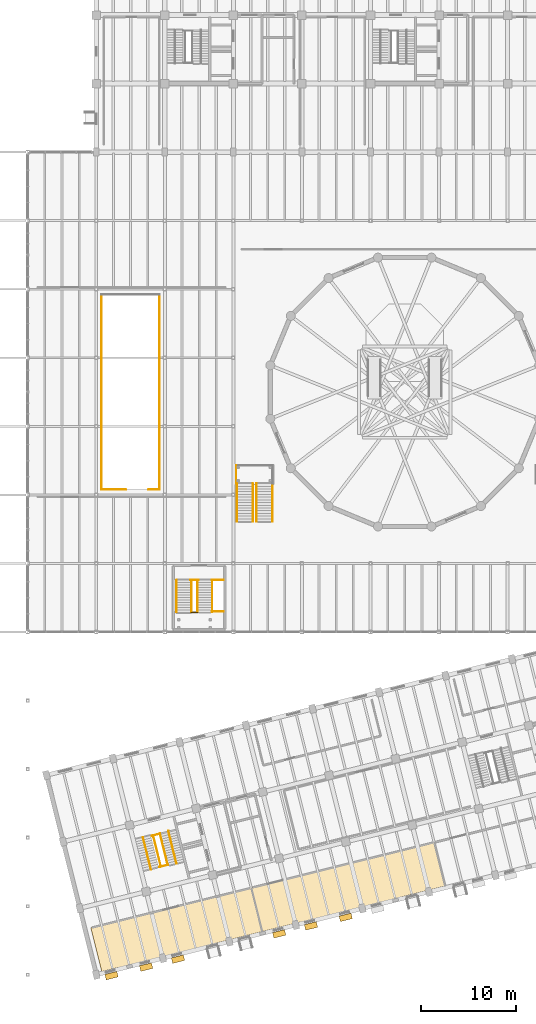
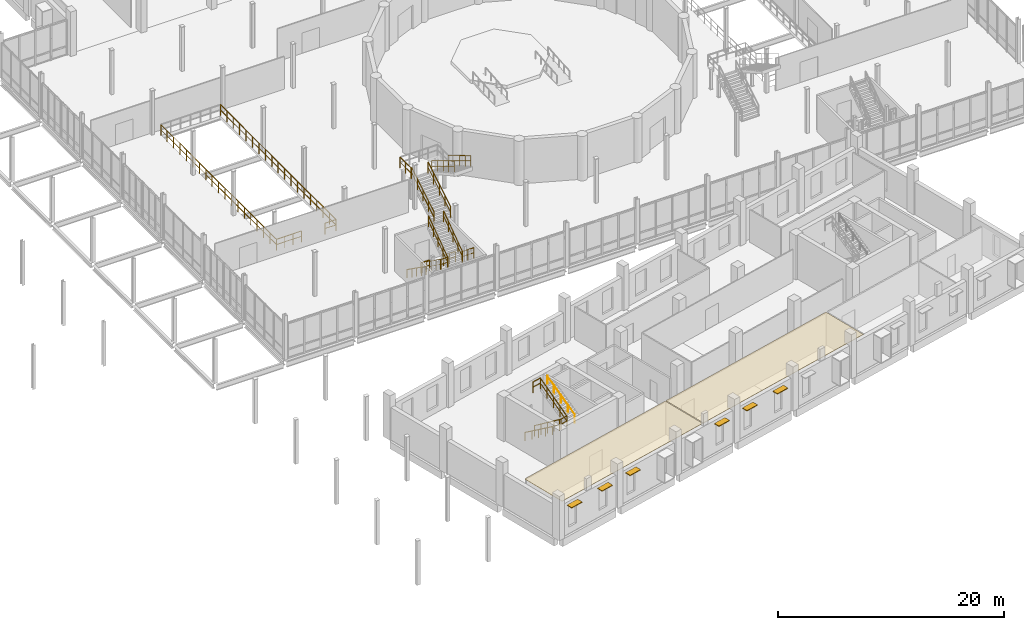
# One storey, part 74 of 77: 23 railings, 6 shading devices, 2 coverings.
"""IFC4 building model written with IfcOpenShell, lengths in metres."""

from ifc_helpers import new_model, si_unit, direction, frame, origin, origin_2d, place, context, subcontext, project, spatial, polyline, rectangle, circle, outline, extrude, material, layer, layer_set, material_profile, profile_set, type_object, element, save


model = new_model("IFC4")

# Units and contexts
model_context = context("Model", 3, precision=1e-05, world=origin(), true_north=direction((0.0, 1.0)))
body_context = subcontext(model_context, "Body", "Model", "MODEL_VIEW")
ifc_project = project(units=[si_unit("LENGTHUNIT", "METRE"), si_unit("AREAUNIT", "SQUARE_METRE"), si_unit("VOLUMEUNIT", "CUBIC_METRE"), si_unit("PLANEANGLEUNIT", "RADIAN"), si_unit("MASSUNIT", "GRAM", prefix="KILO")], contexts=[model_context])

# Site, building, storey
site_placement = place(None, origin())
site = spatial("IfcSite", under=ifc_project, at=site_placement, CompositionType="ELEMENT")
building_placement = place(site_placement, origin())
building = spatial("IfcBuilding", under=site, at=building_placement, Name="Qiaolan Assembly House", CompositionType="ELEMENT")
storey_placement = place(building_placement, frame((0.0, 0.0, 5.39990234375)))
storey = spatial("IfcBuildingStorey", under=building, at=storey_placement, Name="L01", CompositionType="ELEMENT", Elevation=5.39990234375)

# Coverings
ifc_material_1 = material(Name="Gypsum plasterboard acoustic ceiling")
ifc_layer = layer(ifc_material_1, 0.044921875)
ifc_layer_set = layer_set([ifc_layer], Name="Gypsum plasterboard acoustic ceiling")
covering_type = type_object("IfcCoveringType", Name="COV-CEIL-ACOUSTIC", PredefinedType="CEILING", material=ifc_layer_set)
covering_1_placement = place(storey_placement, frame((0.0, 0.0, 3.47509765625)))
element("IfcCovering", 1, at=covering_1_placement, inside=storey, type_object=covering_type, Name="Suspended ceiling Business Enterprise One-Stop Service Hall", PredefinedType="CEILING", context=body_context, shape_type="SweptSolid", body=[
    extrude(outline(polyline([(36.577392578125, 0.32958984375), (53.383056640625, 4.51953125), (52.2265625, 9.157470703125), (35.421142578125, 4.967529296875), (36.577392578125, 0.32958984375)])), origin(), (0.0, 0.0, 1.0), 0.044921875),
])
covering_2_placement = place(storey_placement, frame((0.0, 0.0, 3.47509765625)))
element("IfcCovering", 2, at=covering_2_placement, inside=storey, type_object=covering_type, Name="Suspended ceiling Planning & Building Permit Counter Hall", PredefinedType="CEILING", context=body_context, shape_type="SweptSolid", body=[
    extrude(outline(polyline([(53.460693359375, 4.538818359375), (72.5947265625, 9.3095703125), (71.4384765625, 13.94775390625), (52.30419921875, 9.177001953125), (53.460693359375, 4.538818359375)])), origin(), (0.0, 0.0, 1.0), 0.044921875),
])

# Railings
ifc_material_2 = material(Name="Anodised bronze aluminium", Category="aluminium")
railing_type_1 = type_object("IfcRailingType", Name="RAL-GUARD-GALLERY-1200", PredefinedType="BALUSTRADE", material=ifc_material_2)
for number, where, name in (
    (3, (50.760009765625, 47.60009765625, 0.0), "GR-02 gallery stair balustrade FLT-ST-G1-1-L"),
    (4, (52.43994140625, 47.60009765625, 0.0), "GR-02 gallery stair balustrade FLT-ST-G1-1-R"),
):
    element("IfcRailing", number, at=place(storey_placement, frame(where)), inside=storey, type_object=railing_type_1, Name=name, PredefinedType="BALUSTRADE", context=body_context, shape_type="SweptSolid", body=[
        extrude(circle(Radius=0.02392578125, at=origin_2d()), frame((0.0, 0.0, 1.17578125), z_axis=(0.0, 0.856909445827, 0.515466974357), x_axis=(-1.0, 0.0, 0.0)), (0.0, 0.0, 1.0), 4.65625),
        extrude(circle(Radius=0.01611328125, at=origin_2d()), frame((0.0, 0.0, 0.60009765625), z_axis=(0.0, 0.856909445827, 0.515466974357), x_axis=(-1.0, 0.0, 0.0)), (0.0, 0.0, 1.0), 4.65625),
        extrude(circle(Radius=0.02099609375, at=origin_2d()), origin(), (0.0, 0.0, 1.0), 1.15185546875),
        extrude(circle(Radius=0.02099609375, at=origin_2d()), frame((0.0, 0.99755859375, 0.60009765625)), (0.0, 0.0, 1.0), 1.15185546875),
        extrude(circle(Radius=0.02099609375, at=origin_2d()), frame((0.0, 1.9951171875, 1.2001953125)), (0.0, 0.0, 1.0), 1.15185546875),
        extrude(circle(Radius=0.02099609375, at=origin_2d()), frame((0.0, 2.992431640625, 1.800048828125)), (0.0, 0.0, 1.0), 1.15185546875),
        extrude(circle(Radius=0.02099609375, at=origin_2d()), frame((0.0, 3.989990234375, 2.400146484375)), (0.0, 0.0, 1.0), 1.15185546875),
    ])
for number, where, name in (
    (5, (52.840087890625, 51.590087890625, 2.400146484375), "GR-02 gallery stair balustrade FLT-ST-G1-2-L"),
    (6, (54.52001953125, 51.590087890625, 2.400146484375), "GR-02 gallery stair balustrade FLT-ST-G1-2-R"),
):
    element("IfcRailing", number, at=place(storey_placement, frame(where)), inside=storey, type_object=railing_type_1, Name=name, PredefinedType="BALUSTRADE", context=body_context, shape_type="SweptSolid", body=[
        extrude(circle(Radius=0.02392578125, at=origin_2d()), frame((0.0, 0.0, 1.17578125), z_axis=(0.0, -0.856932605607, 0.515428471708), x_axis=(1.0, 0.0, 0.0)), (0.0, 0.0, 1.0), 4.65625),
        extrude(circle(Radius=0.01611328125, at=origin_2d()), frame((0.0, 0.0, 0.60009765625), z_axis=(0.0, -0.856932605607, 0.515428471708), x_axis=(1.0, 0.0, 0.0)), (0.0, 0.0, 1.0), 4.65625),
        extrude(circle(Radius=0.02099609375, at=origin_2d()), origin(), (0.0, 0.0, 1.0), 1.15185546875),
        extrude(circle(Radius=0.02099609375, at=origin_2d()), frame((0.0, -0.99755859375, 0.60009765625)), (0.0, 0.0, 1.0), 1.15185546875),
        extrude(circle(Radius=0.02099609375, at=origin_2d()), frame((0.0, -1.9951171875, 1.199951171875)), (0.0, 0.0, 1.0), 1.15185546875),
        extrude(circle(Radius=0.02099609375, at=origin_2d()), frame((0.0, -2.992431640625, 1.7998046875)), (0.0, 0.0, 1.0), 1.15185546875),
        extrude(circle(Radius=0.02099609375, at=origin_2d()), frame((0.0, -3.989990234375, 2.39990234375)), (0.0, 0.0, 1.0), 1.15185546875),
    ])
railing_1_placement = place(storey_placement, frame((50.699951171875, 51.590087890625, 2.400146484375)))
element("IfcRailing", 7, at=railing_1_placement, inside=storey, type_object=railing_type_1, Name="GR-02 gallery mid-landing guard ST-G1 seg 1", PredefinedType="BALUSTRADE", context=body_context, shape_type="SweptSolid", body=[
    extrude(circle(Radius=0.02392578125, at=origin_2d()), frame((0.0, 0.0, 1.17578125), z_axis=(0.0, 1.0, 0.0), x_axis=(-1.0, 0.0, 0.0)), (0.0, 0.0, 1.0), 1.919921875),
    extrude(circle(Radius=0.01611328125, at=origin_2d()), frame((0.0, 0.0, 0.60009765625), z_axis=(0.0, 1.0, 0.0), x_axis=(-1.0, 0.0, 0.0)), (0.0, 0.0, 1.0), 1.919921875),
    extrude(circle(Radius=0.02099609375, at=origin_2d()), origin(), (0.0, 0.0, 1.0), 1.15185546875),
    extrude(circle(Radius=0.02099609375, at=origin_2d()), frame((0.0, 0.9599609375, 0.0)), (0.0, 0.0, 1.0), 1.15185546875),
    extrude(circle(Radius=0.02099609375, at=origin_2d()), frame((0.0, 1.919921875, 0.0)), (0.0, 0.0, 1.0), 1.15185546875),
])
railing_2_placement = place(storey_placement, frame((39.10009765625, 50.949951171875, 0.0)))
element("IfcRailing", 8, at=railing_2_placement, inside=storey, type_object=railing_type_1, Name="GR-02 Public Hall Atrium Void Balustrade W L01 seg 1", PredefinedType="BALUSTRADE", context=body_context, shape_type="SweptSolid", body=[
    extrude(circle(Radius=0.02392578125, at=origin_2d()), frame((0.0, 0.0, 1.17578125), z_axis=(-1.0, 0.0, 0.0), x_axis=(0.0, -1.0, 0.0)), (0.0, 0.0, 1.0), 2.550048828125),
    extrude(circle(Radius=0.01611328125, at=origin_2d()), frame((0.0, 0.0, 0.60009765625), z_axis=(-1.0, 0.0, 0.0), x_axis=(0.0, -1.0, 0.0)), (0.0, 0.0, 1.0), 2.550048828125),
    extrude(circle(Radius=0.02099609375, at=origin_2d()), origin(), (0.0, 0.0, 1.0), 1.15185546875),
    extrude(circle(Radius=0.02099609375, at=origin_2d()), frame((-0.85009765625, 0.0, 0.0)), (0.0, 0.0, 1.0), 1.15185546875),
    extrude(circle(Radius=0.02099609375, at=origin_2d()), frame((-1.699951171875, 0.0, 0.0)), (0.0, 0.0, 1.0), 1.15185546875),
    extrude(circle(Radius=0.02099609375, at=origin_2d()), frame((-2.550048828125, 0.0, 0.0)), (0.0, 0.0, 1.0), 1.15185546875),
])
railing_3_placement = place(storey_placement, frame((36.550048828125, 50.949951171875, 0.0)))
element("IfcRailing", 9, at=railing_3_placement, inside=storey, type_object=railing_type_1, Name="GR-02 Public Hall Atrium Void Balustrade W L01 seg 2", PredefinedType="BALUSTRADE", context=body_context, shape_type="SweptSolid", body=[
    extrude(circle(Radius=0.02392578125, at=origin_2d()), frame((0.0, 0.0, 1.17578125), z_axis=(0.0, 1.0, 0.0), x_axis=(-1.0, 0.0, 0.0)), (0.0, 0.0, 1.0), 20.5),
    extrude(circle(Radius=0.01611328125, at=origin_2d()), frame((0.0, 0.0, 0.60009765625), z_axis=(0.0, 1.0, 0.0), x_axis=(-1.0, 0.0, 0.0)), (0.0, 0.0, 1.0), 20.5),
    extrude(circle(Radius=0.02099609375, at=origin_2d()), origin(), (0.0, 0.0, 1.0), 1.15185546875),
    extrude(circle(Radius=0.02099609375, at=origin_2d()), frame((0.0, 1.138916015625, 0.0)), (0.0, 0.0, 1.0), 1.15185546875),
    extrude(circle(Radius=0.02099609375, at=origin_2d()), frame((0.0, 2.27783203125, 0.0)), (0.0, 0.0, 1.0), 1.15185546875),
    extrude(circle(Radius=0.02099609375, at=origin_2d()), frame((0.0, 3.416748046875, 0.0)), (0.0, 0.0, 1.0), 1.15185546875),
    extrude(circle(Radius=0.02099609375, at=origin_2d()), frame((0.0, 4.5556640625, 0.0)), (0.0, 0.0, 1.0), 1.15185546875),
    extrude(circle(Radius=0.02099609375, at=origin_2d()), frame((0.0, 5.6943359375, 0.0)), (0.0, 0.0, 1.0), 1.15185546875),
    extrude(circle(Radius=0.02099609375, at=origin_2d()), frame((0.0, 6.833251953125, 0.0)), (0.0, 0.0, 1.0), 1.15185546875),
    extrude(circle(Radius=0.02099609375, at=origin_2d()), frame((0.0, 7.97216796875, 0.0)), (0.0, 0.0, 1.0), 1.15185546875),
    extrude(circle(Radius=0.02099609375, at=origin_2d()), frame((0.0, 9.111083984375, 0.0)), (0.0, 0.0, 1.0), 1.15185546875),
    extrude(circle(Radius=0.02099609375, at=origin_2d()), frame((0.0, 10.25, 0.0)), (0.0, 0.0, 1.0), 1.15185546875),
    extrude(circle(Radius=0.02099609375, at=origin_2d()), frame((0.0, 11.388916015625, 0.0)), (0.0, 0.0, 1.0), 1.15185546875),
    extrude(circle(Radius=0.02099609375, at=origin_2d()), frame((0.0, 12.52783203125, 0.0)), (0.0, 0.0, 1.0), 1.15185546875),
    extrude(circle(Radius=0.02099609375, at=origin_2d()), frame((0.0, 13.666748046875, 0.0)), (0.0, 0.0, 1.0), 1.15185546875),
    extrude(circle(Radius=0.02099609375, at=origin_2d()), frame((0.0, 14.8056640625, 0.0)), (0.0, 0.0, 1.0), 1.15185546875),
    extrude(circle(Radius=0.02099609375, at=origin_2d()), frame((0.0, 15.9443359375, 0.0)), (0.0, 0.0, 1.0), 1.15185546875),
    extrude(circle(Radius=0.02099609375, at=origin_2d()), frame((0.0, 17.083251953125, 0.0)), (0.0, 0.0, 1.0), 1.15185546875),
    extrude(circle(Radius=0.02099609375, at=origin_2d()), frame((0.0, 18.22216796875, 0.0)), (0.0, 0.0, 1.0), 1.15185546875),
    extrude(circle(Radius=0.02099609375, at=origin_2d()), frame((0.0, 19.361083984375, 0.0)), (0.0, 0.0, 1.0), 1.15185546875),
    extrude(circle(Radius=0.02099609375, at=origin_2d()), frame((0.0, 20.5, 0.0)), (0.0, 0.0, 1.0), 1.15185546875),
])
railing_4_placement = place(storey_placement, frame((42.64990234375, 71.449951171875, 0.0)))
element("IfcRailing", 10, at=railing_4_placement, inside=storey, type_object=railing_type_1, Name="GR-02 Public Hall Atrium Void Balustrade W L01 seg 4", PredefinedType="BALUSTRADE", context=body_context, shape_type="SweptSolid", body=[
    extrude(circle(Radius=0.02392578125, at=origin_2d()), frame((0.0, 0.0, 1.17578125), z_axis=(0.0, -1.0, 0.0), x_axis=(1.0, 0.0, 0.0)), (0.0, 0.0, 1.0), 20.5),
    extrude(circle(Radius=0.01611328125, at=origin_2d()), frame((0.0, 0.0, 0.60009765625), z_axis=(0.0, -1.0, 0.0), x_axis=(1.0, 0.0, 0.0)), (0.0, 0.0, 1.0), 20.5),
    extrude(circle(Radius=0.02099609375, at=origin_2d()), origin(), (0.0, 0.0, 1.0), 1.15185546875),
    extrude(circle(Radius=0.02099609375, at=origin_2d()), frame((0.0, -1.138916015625, 0.0)), (0.0, 0.0, 1.0), 1.15185546875),
    extrude(circle(Radius=0.02099609375, at=origin_2d()), frame((0.0, -2.27783203125, 0.0)), (0.0, 0.0, 1.0), 1.15185546875),
    extrude(circle(Radius=0.02099609375, at=origin_2d()), frame((0.0, -3.416748046875, 0.0)), (0.0, 0.0, 1.0), 1.15185546875),
    extrude(circle(Radius=0.02099609375, at=origin_2d()), frame((0.0, -4.5556640625, 0.0)), (0.0, 0.0, 1.0), 1.15185546875),
    extrude(circle(Radius=0.02099609375, at=origin_2d()), frame((0.0, -5.6943359375, 0.0)), (0.0, 0.0, 1.0), 1.15185546875),
    extrude(circle(Radius=0.02099609375, at=origin_2d()), frame((0.0, -6.833251953125, 0.0)), (0.0, 0.0, 1.0), 1.15185546875),
    extrude(circle(Radius=0.02099609375, at=origin_2d()), frame((0.0, -7.97216796875, 0.0)), (0.0, 0.0, 1.0), 1.15185546875),
    extrude(circle(Radius=0.02099609375, at=origin_2d()), frame((0.0, -9.111083984375, 0.0)), (0.0, 0.0, 1.0), 1.15185546875),
    extrude(circle(Radius=0.02099609375, at=origin_2d()), frame((0.0, -10.25, 0.0)), (0.0, 0.0, 1.0), 1.15185546875),
    extrude(circle(Radius=0.02099609375, at=origin_2d()), frame((0.0, -11.388916015625, 0.0)), (0.0, 0.0, 1.0), 1.15185546875),
    extrude(circle(Radius=0.02099609375, at=origin_2d()), frame((0.0, -12.52783203125, 0.0)), (0.0, 0.0, 1.0), 1.15185546875),
    extrude(circle(Radius=0.02099609375, at=origin_2d()), frame((0.0, -13.666748046875, 0.0)), (0.0, 0.0, 1.0), 1.15185546875),
    extrude(circle(Radius=0.02099609375, at=origin_2d()), frame((0.0, -14.8056640625, 0.0)), (0.0, 0.0, 1.0), 1.15185546875),
    extrude(circle(Radius=0.02099609375, at=origin_2d()), frame((0.0, -15.9443359375, 0.0)), (0.0, 0.0, 1.0), 1.15185546875),
    extrude(circle(Radius=0.02099609375, at=origin_2d()), frame((0.0, -17.083251953125, 0.0)), (0.0, 0.0, 1.0), 1.15185546875),
    extrude(circle(Radius=0.02099609375, at=origin_2d()), frame((0.0, -18.22216796875, 0.0)), (0.0, 0.0, 1.0), 1.15185546875),
    extrude(circle(Radius=0.02099609375, at=origin_2d()), frame((0.0, -19.361083984375, 0.0)), (0.0, 0.0, 1.0), 1.15185546875),
    extrude(circle(Radius=0.02099609375, at=origin_2d()), frame((0.0, -20.5, 0.0)), (0.0, 0.0, 1.0), 1.15185546875),
])
railing_5_placement = place(storey_placement, frame((42.64990234375, 50.949951171875, 0.0)))
element("IfcRailing", 11, at=railing_5_placement, inside=storey, type_object=railing_type_1, Name="GR-02 Public Hall Atrium Void Balustrade W L01 seg 5", PredefinedType="BALUSTRADE", context=body_context, shape_type="SweptSolid", body=[
    extrude(circle(Radius=0.02392578125, at=origin_2d()), frame((0.0, 0.0, 1.17578125), z_axis=(-1.0, 0.0, 0.0), x_axis=(0.0, -1.0, 0.0)), (0.0, 0.0, 1.0), 1.14990234375),
    extrude(circle(Radius=0.01611328125, at=origin_2d()), frame((0.0, 0.0, 0.60009765625), z_axis=(-1.0, 0.0, 0.0), x_axis=(0.0, -1.0, 0.0)), (0.0, 0.0, 1.0), 1.14990234375),
    extrude(circle(Radius=0.02099609375, at=origin_2d()), origin(), (0.0, 0.0, 1.0), 1.15185546875),
    extrude(circle(Radius=0.02099609375, at=origin_2d()), frame((-1.14990234375, 0.0, 0.0)), (0.0, 0.0, 1.0), 1.15185546875),
])
railing_type_2 = type_object("IfcRailingType", Name="RAL-GUARD-STAIRWELL-1150", PredefinedType="GUARDRAIL", material=ifc_material_2)
railing_6_placement = place(storey_placement, frame((41.97802734375, 14.630859375, 0.0)))
element("IfcRailing", 12, at=railing_6_placement, inside=storey, type_object=railing_type_2, Name="GR-01 stair inner-well guard FLT-CORE-C-L01-1", PredefinedType="GUARDRAIL", context=body_context, shape_type="SweptSolid", body=[
    extrude(circle(Radius=0.02392578125, at=origin_2d()), frame((0.0, 0.0, 1.1259765625), z_axis=(0.19723564593, -0.791121657744, 0.578985857015), x_axis=(0.970299508301, 0.241906726219, 0.0)), (0.0, 0.0, 1.0), 4.1455078125),
    extrude(circle(Radius=0.01611328125, at=origin_2d()), frame((0.0, 0.0, 0.574951171875), z_axis=(0.19723564593, -0.791121657744, 0.578985857015), x_axis=(0.970299508301, 0.241906726219, 0.0)), (0.0, 0.0, 1.0), 4.1455078125),
    extrude(circle(Radius=0.02099609375, at=origin_2d()), origin(), (0.0, 0.0, 1.0), 1.101806640625),
    extrude(circle(Radius=0.02099609375, at=origin_2d()), frame((0.204345703125, -0.81982421875, 0.60009765625)), (0.0, 0.0, 1.0), 1.101806640625),
    extrude(circle(Radius=0.02099609375, at=origin_2d()), frame((0.40869140625, -1.6396484375, 1.2001953125)), (0.0, 0.0, 1.0), 1.101806640625),
    extrude(circle(Radius=0.02099609375, at=origin_2d()), frame((0.61328125, -2.459716796875, 1.800048828125)), (0.0, 0.0, 1.0), 1.101806640625),
    extrude(circle(Radius=0.02099609375, at=origin_2d()), frame((0.817626953125, -3.279541015625, 2.400146484375)), (0.0, 0.0, 1.0), 1.101806640625),
])
railing_7_placement = place(storey_placement, frame((43.513671875, 11.5302734375, 2.400146484375)))
element("IfcRailing", 13, at=railing_7_placement, inside=storey, type_object=railing_type_2, Name="GR-01 stair inner-well guard FLT-CORE-C-L01-2", PredefinedType="GUARDRAIL", context=body_context, shape_type="SweptSolid", body=[
    extrude(circle(Radius=0.02392578125, at=origin_2d()), frame((0.0, 0.0, 1.1259765625), z_axis=(-0.197242371418, 0.791148633996, 0.578946703803), x_axis=(-0.970299508301, -0.241906726219, 0.0)), (0.0, 0.0, 1.0), 4.145263671875),
    extrude(circle(Radius=0.01611328125, at=origin_2d()), frame((0.0, 0.0, 0.574951171875), z_axis=(-0.197242371418, 0.791148633996, 0.578946703803), x_axis=(-0.970299508301, -0.241906726219, 0.0)), (0.0, 0.0, 1.0), 4.145263671875),
    extrude(circle(Radius=0.02099609375, at=origin_2d()), origin(), (0.0, 0.0, 1.0), 1.101806640625),
    extrude(circle(Radius=0.02099609375, at=origin_2d()), frame((-0.204345703125, 0.81982421875, 0.60009765625)), (0.0, 0.0, 1.0), 1.101806640625),
    extrude(circle(Radius=0.02099609375, at=origin_2d()), frame((-0.40869140625, 1.6396484375, 1.199951171875)), (0.0, 0.0, 1.0), 1.101806640625),
    extrude(circle(Radius=0.02099609375, at=origin_2d()), frame((-0.61328125, 2.459716796875, 1.7998046875)), (0.0, 0.0, 1.0), 1.101806640625),
    extrude(circle(Radius=0.02099609375, at=origin_2d()), frame((-0.817626953125, 3.279541015625, 2.39990234375)), (0.0, 0.0, 1.0), 1.101806640625),
])
railing_8_placement = place(storey_placement, frame((42.640625, 11.3125, 2.400146484375)))
element("IfcRailing", 14, at=railing_8_placement, inside=storey, type_object=railing_type_2, Name="GR-01 stairwell landing guard CORE-C L01-1", PredefinedType="GUARDRAIL", context=body_context, shape_type="SweptSolid", body=[
    extrude(circle(Radius=0.02392578125, at=origin_2d()), frame((0.0, 0.0, 1.1259765625), z_axis=(0.97026726112, 0.242036034503, 0.0), x_axis=(-0.242036034503, 0.97026726112, 0.0)), (0.0, 0.0, 1.0), 0.919921875),
    extrude(circle(Radius=0.01611328125, at=origin_2d()), frame((0.0, 0.0, 0.574951171875), z_axis=(0.97026726112, 0.242036034503, 0.0), x_axis=(-0.242036034503, 0.97026726112, 0.0)), (0.0, 0.0, 1.0), 0.919921875),
    extrude(circle(Radius=0.02099609375, at=origin_2d()), origin(), (0.0, 0.0, 1.0), 1.101806640625),
    extrude(circle(Radius=0.02099609375, at=origin_2d()), frame((0.892578125, 0.22265625, 0.0)), (0.0, 0.0, 1.0), 1.101806640625),
])
railing_9_placement = place(storey_placement, frame((41.82275390625, 14.592041015625, 4.800048828125)))
element("IfcRailing", 15, at=railing_9_placement, inside=storey, type_object=railing_type_2, Name="GR-01 stairwell landing guard CORE-C L01-2", PredefinedType="GUARDRAIL", context=body_context, shape_type="SweptSolid", body=[
    extrude(circle(Radius=0.02392578125, at=origin_2d()), frame((0.0, 0.0, 1.1259765625), z_axis=(0.970282802069, 0.241973725865, 0.0), x_axis=(-0.241973725865, 0.970282802069, 0.0)), (0.0, 0.0, 1.0), 0.920166015625),
    extrude(circle(Radius=0.01611328125, at=origin_2d()), frame((0.0, 0.0, 0.574951171875), z_axis=(0.970282802069, 0.241973725865, 0.0), x_axis=(-0.241973725865, 0.970282802069, 0.0)), (0.0, 0.0, 1.0), 0.920166015625),
    extrude(circle(Radius=0.02099609375, at=origin_2d()), origin(), (0.0, 0.0, 1.0), 1.101806640625),
    extrude(circle(Radius=0.02099609375, at=origin_2d()), frame((0.892822265625, 0.22265625, 0.0)), (0.0, 0.0, 1.0), 1.101806640625),
])
railing_10_placement = place(storey_placement, frame((45.8798828125, 41.449951171875, 0.0)))
element("IfcRailing", 16, at=railing_10_placement, inside=storey, type_object=railing_type_2, Name="GR-01 foyer L01 slot guard ST-F01", PredefinedType="GUARDRAIL", context=body_context, shape_type="SweptSolid", body=[
    extrude(circle(Radius=0.02392578125, at=origin_2d()), frame((0.0, 0.0, 1.1259765625), z_axis=(1.0, 0.0, 0.0), x_axis=(0.0, 1.0, 0.0)), (0.0, 0.0, 1.0), 0.840087890625),
    extrude(circle(Radius=0.01611328125, at=origin_2d()), frame((0.0, 0.0, 0.574951171875), z_axis=(1.0, 0.0, 0.0), x_axis=(0.0, 1.0, 0.0)), (0.0, 0.0, 1.0), 0.840087890625),
    extrude(circle(Radius=0.02099609375, at=origin_2d()), origin(), (0.0, 0.0, 1.0), 1.101806640625),
    extrude(circle(Radius=0.02099609375, at=origin_2d()), frame((0.840087890625, 0.0, 0.0)), (0.0, 0.0, 1.0), 1.101806640625),
])
railing_11_placement = place(storey_placement, frame((48.14990234375, 41.449951171875, 0.0)))
element("IfcRailing", 17, at=railing_11_placement, inside=storey, type_object=railing_type_2, Name="GR-01 foyer L01 east floor-well guard ST-F01", PredefinedType="GUARDRAIL", context=body_context, shape_type="SweptSolid", body=[
    extrude(circle(Radius=0.02392578125, at=origin_2d()), frame((0.0, 0.0, 1.1259765625), z_axis=(1.0, 0.0, 0.0), x_axis=(0.0, 1.0, 0.0)), (0.0, 0.0, 1.0), 1.22998046875),
    extrude(circle(Radius=0.01611328125, at=origin_2d()), frame((0.0, 0.0, 0.574951171875), z_axis=(1.0, 0.0, 0.0), x_axis=(0.0, 1.0, 0.0)), (0.0, 0.0, 1.0), 1.22998046875),
    extrude(circle(Radius=0.02099609375, at=origin_2d()), origin(), (0.0, 0.0, 1.0), 1.101806640625),
    extrude(circle(Radius=0.02099609375, at=origin_2d()), frame((0.614990234375, 0.0, 0.0)), (0.0, 0.0, 1.0), 1.101806640625),
    extrude(circle(Radius=0.02099609375, at=origin_2d()), frame((1.22998046875, 0.0, 0.0)), (0.0, 0.0, 1.0), 1.101806640625),
])
railing_12_placement = place(storey_placement, frame((45.97998046875, 41.449951171875, 0.0)))
element("IfcRailing", 18, at=railing_12_placement, inside=storey, type_object=railing_type_2, Name="GR-01 foyer L01 open-well guard FLT-ST-F1-1-R", PredefinedType="GUARDRAIL", context=body_context, shape_type="SweptSolid", body=[
    extrude(circle(Radius=0.02392578125, at=origin_2d()), frame((0.0, 0.0, 1.1259765625), z_axis=(0.0, -0.815334052488, 0.578990831408), x_axis=(1.0, 0.0, 0.0)), (0.0, 0.0, 1.0), 4.1455078125),
    extrude(circle(Radius=0.01611328125, at=origin_2d()), frame((0.0, 0.0, 0.574951171875), z_axis=(0.0, -0.815334052488, 0.578990831408), x_axis=(1.0, 0.0, 0.0)), (0.0, 0.0, 1.0), 4.1455078125),
    extrude(circle(Radius=0.02099609375, at=origin_2d()), origin(), (0.0, 0.0, 1.0), 1.101806640625),
    extrude(circle(Radius=0.02099609375, at=origin_2d()), frame((0.0, -0.844970703125, 0.60009765625)), (0.0, 0.0, 1.0), 1.101806640625),
    extrude(circle(Radius=0.02099609375, at=origin_2d()), frame((0.0, -1.68994140625, 1.2001953125)), (0.0, 0.0, 1.0), 1.101806640625),
    extrude(circle(Radius=0.02099609375, at=origin_2d()), frame((0.0, -2.534912109375, 1.800048828125)), (0.0, 0.0, 1.0), 1.101806640625),
    extrude(circle(Radius=0.02099609375, at=origin_2d()), frame((0.0, -3.3798828125, 2.400146484375)), (0.0, 0.0, 1.0), 1.101806640625),
])
for number, where, name in (
    (19, (46.639892578125, 38.070068359375, 2.400146484375), "GR-01 foyer L01 inner-well guard FLT-ST-F1-2-L"),
    (20, (48.179931640625, 38.070068359375, 2.400146484375), "GR-01 foyer L01 open-well guard FLT-ST-F1-2-R"),
):
    element("IfcRailing", number, at=place(storey_placement, frame(where)), inside=storey, type_object=railing_type_2, Name=name, PredefinedType="GUARDRAIL", context=body_context, shape_type="SweptSolid", body=[
        extrude(circle(Radius=0.02392578125, at=origin_2d()), frame((0.0, 0.0, 1.1259765625), z_axis=(0.0, 0.81536185483, 0.578951678198), x_axis=(-1.0, 0.0, 0.0)), (0.0, 0.0, 1.0), 4.145263671875),
        extrude(circle(Radius=0.01611328125, at=origin_2d()), frame((0.0, 0.0, 0.574951171875), z_axis=(0.0, 0.81536185483, 0.578951678198), x_axis=(-1.0, 0.0, 0.0)), (0.0, 0.0, 1.0), 4.145263671875),
        extrude(circle(Radius=0.02099609375, at=origin_2d()), origin(), (0.0, 0.0, 1.0), 1.101806640625),
        extrude(circle(Radius=0.02099609375, at=origin_2d()), frame((0.0, 0.844970703125, 0.60009765625)), (0.0, 0.0, 1.0), 1.101806640625),
        extrude(circle(Radius=0.02099609375, at=origin_2d()), frame((0.0, 1.68994140625, 1.199951171875)), (0.0, 0.0, 1.0), 1.101806640625),
        extrude(circle(Radius=0.02099609375, at=origin_2d()), frame((0.0, 2.534912109375, 1.7998046875)), (0.0, 0.0, 1.0), 1.101806640625),
        extrude(circle(Radius=0.02099609375, at=origin_2d()), frame((0.0, 3.3798828125, 2.39990234375)), (0.0, 0.0, 1.0), 1.101806640625),
    ])
railing_13_placement = place(storey_placement, frame((45.919921875, 38.070068359375, 2.400146484375)))
element("IfcRailing", 21, at=railing_13_placement, inside=storey, type_object=railing_type_2, Name="GR-01 foyer L01 mid-landing guard ST-F1", PredefinedType="GUARDRAIL", context=body_context, shape_type="SweptSolid", body=[
    extrude(circle(Radius=0.02392578125, at=origin_2d()), frame((0.0, 0.0, 1.1259765625), z_axis=(1.0, 0.0, 0.0), x_axis=(0.0, 1.0, 0.0)), (0.0, 0.0, 1.0), 0.760009765625),
    extrude(circle(Radius=0.01611328125, at=origin_2d()), frame((0.0, 0.0, 0.574951171875), z_axis=(1.0, 0.0, 0.0), x_axis=(0.0, 1.0, 0.0)), (0.0, 0.0, 1.0), 0.760009765625),
    extrude(circle(Radius=0.02099609375, at=origin_2d()), origin(), (0.0, 0.0, 1.0), 1.101806640625),
    extrude(circle(Radius=0.02099609375, at=origin_2d()), frame((0.760009765625, 0.0, 0.0)), (0.0, 0.0, 1.0), 1.101806640625),
])
railing_14_placement = place(storey_placement, frame((48.159912109375, 38.169921875, 2.400146484375)))
element("IfcRailing", 22, at=railing_14_placement, inside=storey, type_object=railing_type_2, Name="GR-01 foyer L01 east half-landing guard ST-F1", PredefinedType="GUARDRAIL", context=body_context, shape_type="SweptSolid", body=[
    extrude(circle(Radius=0.02392578125, at=origin_2d()), frame((0.0, 0.0, 1.1259765625), z_axis=(1.0, 0.0, 0.0), x_axis=(0.0, 1.0, 0.0)), (0.0, 0.0, 1.0), 1.219970703125),
    extrude(circle(Radius=0.01611328125, at=origin_2d()), frame((0.0, 0.0, 0.574951171875), z_axis=(1.0, 0.0, 0.0), x_axis=(0.0, 1.0, 0.0)), (0.0, 0.0, 1.0), 1.219970703125),
    extrude(circle(Radius=0.02099609375, at=origin_2d()), origin(), (0.0, 0.0, 1.0), 1.101806640625),
    extrude(circle(Radius=0.02099609375, at=origin_2d()), frame((0.60986328125, 0.0, 0.0)), (0.0, 0.0, 1.0), 1.101806640625),
    extrude(circle(Radius=0.02099609375, at=origin_2d()), frame((1.219970703125, 0.0, 0.0)), (0.0, 0.0, 1.0), 1.101806640625),
])
railing_type_3 = type_object("IfcRailingType", Name="RAL-HANDRAIL-STAIR-920", PredefinedType="HANDRAIL", material=ifc_material_2)
railing_15_placement = place(storey_placement, frame((40.906005859375, 14.42529296875, 0.0)))
element("IfcRailing", 23, at=railing_15_placement, inside=storey, type_object=railing_type_3, Name="HR-01 stair handrail FLT-CORE-C-L01-1", PredefinedType="HANDRAIL", context=body_context, shape_type="SweptSolid", body=[
    extrude(circle(Radius=0.02392578125, at=origin_2d()), frame((0.0, 0.0, 0.89599609375), z_axis=(0.199506915716, -0.800213724801, 0.565557234258), x_axis=(0.970298223594, 0.241911879182, 0.0)), (0.0, 0.0, 1.0), 4.243896484375),
    extrude(circle(Radius=0.02099609375, at=origin_2d()), origin(), (0.0, 0.0, 1.0), 0.871826171875),
    extrude(circle(Radius=0.02099609375, at=origin_2d()), frame((0.211669921875, -0.84912109375, 0.60009765625)), (0.0, 0.0, 1.0), 0.871826171875),
    extrude(circle(Radius=0.02099609375, at=origin_2d()), frame((0.42333984375, -1.697998046875, 1.2001953125)), (0.0, 0.0, 1.0), 0.871826171875),
    extrude(circle(Radius=0.02099609375, at=origin_2d()), frame((0.635009765625, -2.546875, 1.800048828125)), (0.0, 0.0, 1.0), 0.871826171875),
    extrude(circle(Radius=0.02099609375, at=origin_2d()), frame((0.8466796875, -3.39599609375, 2.400146484375)), (0.0, 0.0, 1.0), 0.871826171875),
])
railing_16_placement = place(storey_placement, frame((44.4208984375, 11.694580078125, 2.400146484375)))
element("IfcRailing", 24, at=railing_16_placement, inside=storey, type_object=railing_type_3, Name="HR-01 stair handrail FLT-CORE-C-L01-2", PredefinedType="HANDRAIL", context=body_context, shape_type="SweptSolid", body=[
    extrude(circle(Radius=0.02392578125, at=origin_2d()), frame((0.0, 0.0, 0.89599609375), z_axis=(-0.199513406729, 0.800239759978, 0.565518105002), x_axis=(-0.970298223594, -0.241911879182, 0.0)), (0.0, 0.0, 1.0), 4.24365234375),
    extrude(circle(Radius=0.02099609375, at=origin_2d()), origin(), (0.0, 0.0, 1.0), 0.871826171875),
    extrude(circle(Radius=0.02099609375, at=origin_2d()), frame((-0.211669921875, 0.84912109375, 0.60009765625)), (0.0, 0.0, 1.0), 0.871826171875),
    extrude(circle(Radius=0.02099609375, at=origin_2d()), frame((-0.42333984375, 1.697998046875, 1.199951171875)), (0.0, 0.0, 1.0), 0.871826171875),
    extrude(circle(Radius=0.02099609375, at=origin_2d()), frame((-0.635009765625, 2.546875, 1.7998046875)), (0.0, 0.0, 1.0), 0.871826171875),
    extrude(circle(Radius=0.02099609375, at=origin_2d()), frame((-0.8466796875, 3.39599609375, 2.39990234375)), (0.0, 0.0, 1.0), 0.871826171875),
])
railing_17_placement = place(storey_placement, frame((44.43994140625, 41.449951171875, 0.0)))
element("IfcRailing", 25, at=railing_17_placement, inside=storey, type_object=railing_type_3, Name="HR-01 foyer L01 handrail FLT-ST-F1-1-L", PredefinedType="HANDRAIL", context=body_context, shape_type="SweptSolid", body=[
    extrude(circle(Radius=0.02392578125, at=origin_2d()), frame((0.0, 0.0, 0.89599609375), z_axis=(0.0, -0.815334052488, 0.578990831408), x_axis=(1.0, 0.0, 0.0)), (0.0, 0.0, 1.0), 4.1455078125),
    extrude(circle(Radius=0.02099609375, at=origin_2d()), origin(), (0.0, 0.0, 1.0), 0.871826171875),
    extrude(circle(Radius=0.02099609375, at=origin_2d()), frame((0.0, -0.844970703125, 0.60009765625)), (0.0, 0.0, 1.0), 0.871826171875),
    extrude(circle(Radius=0.02099609375, at=origin_2d()), frame((0.0, -1.68994140625, 1.2001953125)), (0.0, 0.0, 1.0), 0.871826171875),
    extrude(circle(Radius=0.02099609375, at=origin_2d()), frame((0.0, -2.534912109375, 1.800048828125)), (0.0, 0.0, 1.0), 0.871826171875),
    extrude(circle(Radius=0.02099609375, at=origin_2d()), frame((0.0, -3.3798828125, 2.400146484375)), (0.0, 0.0, 1.0), 0.871826171875),
])

# Shading devices
ifc_material_profile = material_profile(ifc_material_2, rectangle(XDim=0.60009765625, YDim=0.070068359375, at=origin_2d()), Name="SHD 600x70")
ifc_profile_set = profile_set([ifc_material_profile], Name="Anodised bronze aluminium")
shading_device_type = type_object("IfcShadingDeviceType", Name="SHD-SUNSHADE-AL-600", PredefinedType="AWNING", material=ifc_profile_set)
shading_device_1_placement = place(storey_placement, frame((36.967041015625, -0.26123046875, 3.150146484375), z_axis=(0.970296981152, 0.24191686251, 0.0), x_axis=(-0.24191686251, 0.970296981152, 0.0)))
element("IfcShadingDevice", 26, at=shading_device_1_placement, inside=storey, type_object=shading_device_type, Name="SH-02 horizontal sunshade louvre L01-1", PredefinedType="AWNING", context=body_context, shape_type="SweptSolid", body=[
    extrude(rectangle(XDim=0.60009765625, YDim=0.070068359375, at=origin_2d()), origin(), (0.0, 0.0, 1.0), 1.2998046875),
])
shading_device_2_placement = place(storey_placement, frame((40.60546875, 0.645751953125, 3.150146484375), z_axis=(0.970263883687, 0.242049573461, 0.0), x_axis=(-0.242049573461, 0.970263883687, 0.0)))
element("IfcShadingDevice", 27, at=shading_device_2_placement, inside=storey, type_object=shading_device_type, Name="SH-02 horizontal sunshade louvre L01-1", PredefinedType="AWNING", context=body_context, shape_type="SweptSolid", body=[
    extrude(rectangle(XDim=0.60009765625, YDim=0.070068359375, at=origin_2d()), origin(), (0.0, 0.0, 1.0), 1.300048828125),
])
for number, where, z_axis, x_axis, name in (
    (28, (43.953125, 1.48046875, 3.150146484375), (0.970296981152, 0.24191686251, 0.0), (-0.24191686251, 0.970296981152, 0.0), "SH-02 horizontal sunshade louvre L01-2"),
    (29, (54.577880859375, 4.129638671875, 3.150146484375), (0.970296981152, 0.24191686251, 0.0), (-0.24191686251, 0.970296981152, 0.0), "SH-02 horizontal sunshade louvre L01-3"),
):
    element("IfcShadingDevice", number, at=place(storey_placement, frame(where, z_axis=z_axis, x_axis=x_axis)), inside=storey, type_object=shading_device_type, Name=name, PredefinedType="AWNING", context=body_context, shape_type="SweptSolid", body=[
        extrude(rectangle(XDim=0.60009765625, YDim=0.070068359375, at=origin_2d()), origin(), (0.0, 0.0, 1.0), 1.2998046875),
    ])
for number, where, z_axis, x_axis, name in (
    (30, (57.92529296875, 4.964111328125, 3.150146484375), (0.970307970296, 0.241872782222, 0.0), (-0.241872782222, 0.970307970296, 0.0), "SH-02 horizontal sunshade louvre L01-4"),
    (31, (61.56396484375, 5.871337890625, 3.150146484375), (0.970307970296, 0.241872782222, 0.0), (-0.241872782222, 0.970307970296, 0.0), "SH-02 horizontal sunshade louvre L01-4"),
):
    element("IfcShadingDevice", number, at=place(storey_placement, frame(where, z_axis=z_axis, x_axis=x_axis)), inside=storey, type_object=shading_device_type, Name=name, PredefinedType="AWNING", context=body_context, shape_type="SweptSolid", body=[
        extrude(rectangle(XDim=0.60009765625, YDim=0.070068359375, at=origin_2d()), origin(), (0.0, 0.0, 1.0), 1.300048828125),
    ])

save(model, "model.ifc")
